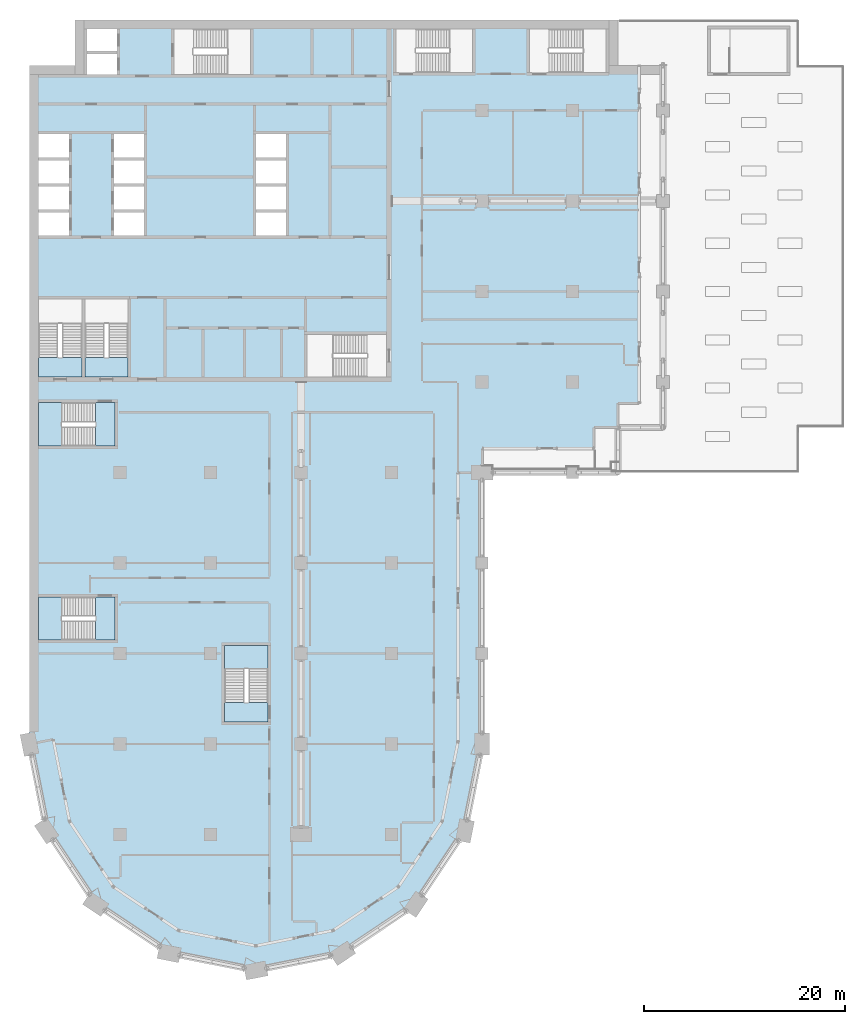
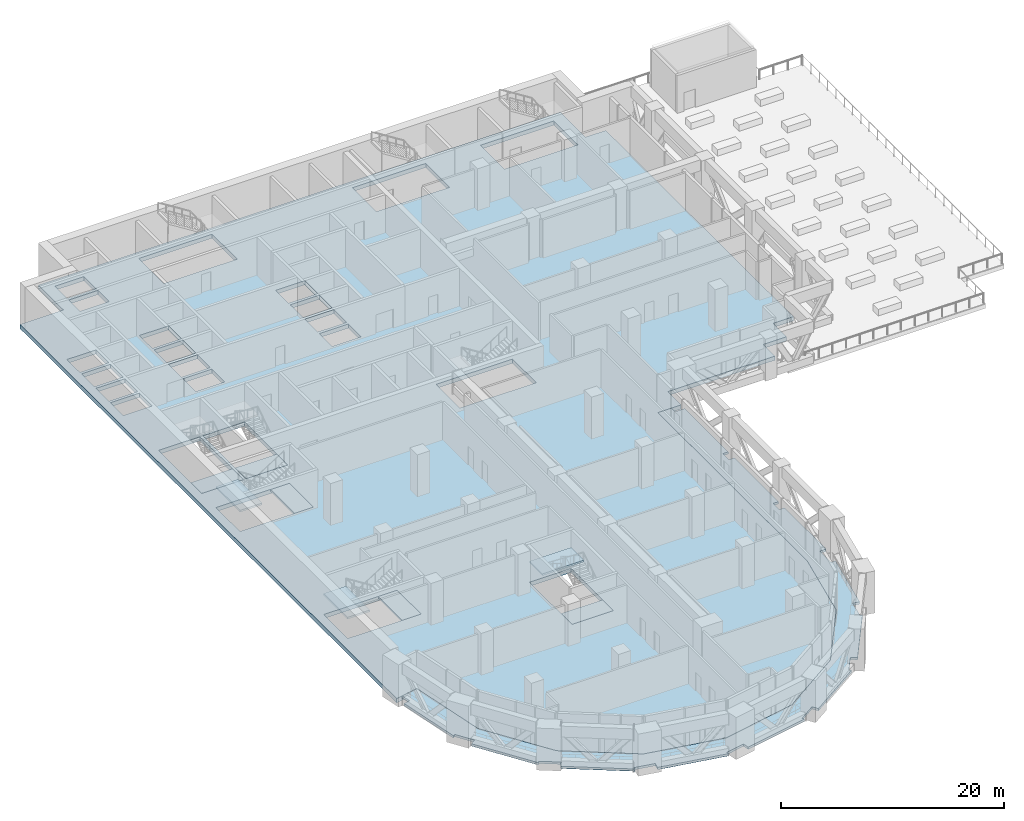
# One storey, part 4 of 22: 10 slabs, 3 elements without a shape of their own.
"""IFC4 building model written with IfcOpenShell, lengths in metres."""

import ifcopenshell
import ifcopenshell.guid

model = None  # the IFC model being written
_history = None  # IfcOwnerHistory: only IFC2X3 demands one
_inside = {}  # id of a spatial element -> (the spatial element, [elements in it])
_under = {}  # id of a project, library or spatial element -> (it, [spatial elements below it])
_declared = {}  # id of a project -> (the project, [libraries it declares])
_typed = {}  # id of a type object -> (the type object, [elements of that type])
_made_of = {}  # id of a material, layer set ... -> (it, [elements and type objects made of it])


def new_model(schema):
    """Start an empty IFC model of exactly this schema.

    Asked for "IFC4X3", IfcOpenShell would pick the latest addendum, in which some entities
    have other attributes; the version numbers below select the first issue.
    IFC2X3 requires an IfcOwnerHistory on every rooted entity: one is made here for all.
    """
    global model, _history
    if schema == "IFC4X3":
        model = ifcopenshell.file(schema_version=(4, 3, 0, 0))
    else:
        model = ifcopenshell.file(schema=schema)
    _inside.clear()
    _under.clear()
    _declared.clear()
    _typed.clear()
    _made_of.clear()
    _history = None
    if model.schema == "IFC2X3":
        org = make("IfcOrganization", Name="unknown")
        user = make(
            "IfcPersonAndOrganization",
            ThePerson=make("IfcPerson", FamilyName="unknown"),
            TheOrganization=org,
        )
        app = make(
            "IfcApplication",
            ApplicationDeveloper=org,
            Version="unknown",
            ApplicationFullName="unknown",
            ApplicationIdentifier="unknown",
        )
        _history = make(
            "IfcOwnerHistory",
            OwningUser=user,
            OwningApplication=app,
            ChangeAction="ADDED",
            CreationDate=0,
        )
    return model


def make(cls, **values):
    """One entity of the class cls with the attributes given. An attribute that is None is left unset."""
    return model.create_entity(
        cls, **{name: value for name, value in values.items() if value is not None}
    )


def rooted(cls, **values):
    """An entity with a GlobalId (a new one), such as an element, a storey or a relation."""
    return make(cls, GlobalId=ifcopenshell.guid.new(), OwnerHistory=_history, **values)


def si_unit(unit_type, name, prefix=None):
    """IfcSIUnit, for example si_unit("LENGTHUNIT", "METRE", prefix="MILLI")."""
    return make("IfcSIUnit", UnitType=unit_type, Prefix=prefix, Name=name)


def assignment(units):
    """IfcUnitAssignment: the units of a project."""
    return None if units is None else make("IfcUnitAssignment", Units=units)


def point(xyz):
    """IfcCartesianPoint."""
    return None if xyz is None else make("IfcCartesianPoint", Coordinates=xyz)


def direction(xyz):
    """IfcDirection."""
    return None if xyz is None else make("IfcDirection", DirectionRatios=xyz)


def frame(location, z_axis=None, x_axis=None):
    """IfcAxis2Placement3D, a coordinate frame: its origin and axes. An axis left out is left unset."""
    return make(
        "IfcAxis2Placement3D",
        Location=point(location),
        Axis=direction(z_axis),
        RefDirection=direction(x_axis),
    )


def origin():
    """The frame at (0, 0, 0) with its axes left unset."""
    return frame((0.0, 0.0, 0.0))


def place(relative_to, where):
    """IfcLocalPlacement: puts the frame where relative to a parent placement (None: the world)."""
    return make(
        "IfcLocalPlacement", PlacementRelTo=relative_to, RelativePlacement=where
    )


def context(
    kind, dimensions, precision=None, world=None, true_north=None, identifier=None
):
    """IfcGeometricRepresentationContext, for example the 3D "Model" context."""
    return make(
        "IfcGeometricRepresentationContext",
        ContextIdentifier=identifier,
        ContextType=kind,
        CoordinateSpaceDimension=dimensions,
        Precision=precision,
        WorldCoordinateSystem=world,
        TrueNorth=true_north,
    )


def subcontext(parent, identifier, kind, view, scale=None):
    """IfcGeometricRepresentationSubContext, for example "Body" below "Model"."""
    return make(
        "IfcGeometricRepresentationSubContext",
        ContextIdentifier=identifier,
        ContextType=kind,
        ParentContext=parent,
        TargetScale=scale,
        TargetView=view,
    )


def project(units=None, contexts=None):
    """IfcProject with its units and contexts."""
    return rooted(
        "IfcProject",
        Name="project",
        RepresentationContexts=contexts,
        UnitsInContext=assignment(units),
    )


def spatial(cls, under=None, at=None, **own):
    """A site, building, storey or space (cls), placed at a placement, below another one or the project."""
    s = rooted(cls, ObjectPlacement=at, **own)
    if under is not None:
        _under.setdefault(under.id(), (under, []))[1].append(s)
    return s


def polyline(points):
    """IfcPolyline through the points."""
    return make("IfcPolyline", Points=[point(p) for p in points])


def outline(outer, holes=None, kind="AREA"):
    """IfcArbitraryClosedProfileDef: a profile drawn as a closed curve; with holes, ...WithVoids."""
    if holes is None:
        return make("IfcArbitraryClosedProfileDef", ProfileType=kind, OuterCurve=outer)
    return make(
        "IfcArbitraryProfileDefWithVoids",
        ProfileType=kind,
        OuterCurve=outer,
        InnerCurves=holes,
    )


def extrude(swept, where, along, depth):
    """IfcExtrudedAreaSolid: the profile swept, set in the frame where, extruded along a direction by depth."""
    return make(
        "IfcExtrudedAreaSolid",
        SweptArea=swept,
        Position=where,
        ExtrudedDirection=direction(along),
        Depth=depth,
    )


def shape(context_of_items, identifier, shape_type, items):
    """IfcShapeRepresentation: the items that make up one representation, for example the "Body"."""
    return make(
        "IfcShapeRepresentation",
        ContextOfItems=context_of_items,
        RepresentationIdentifier=identifier,
        RepresentationType=shape_type,
        Items=items,
    )


def material(Name=None, Category=None):
    """IfcMaterial."""
    return make("IfcMaterial", Name=Name, Category=Category)


def layer(
    of_material, thickness, ventilated=None, Name=None, Category=None, Priority=None
):
    """IfcMaterialLayer: one layer of a wall or slab, of a material (None: an air gap)."""
    return make(
        "IfcMaterialLayer",
        Material=of_material,
        LayerThickness=thickness,
        IsVentilated=ventilated,
        Name=Name,
        Category=Category,
        Priority=Priority,
    )


def layer_set(layers, Name=None):
    """IfcMaterialLayerSet."""
    return make("IfcMaterialLayerSet", MaterialLayers=layers, LayerSetName=Name)


def made_of(thing, what):
    """Note that an element or type object is made of a material, layer set ...; save() writes the relation."""
    if what is not None:
        _made_of.setdefault(what.id(), (what, []))[1].append(thing)
    return thing


def type_object(cls, material=None, **own):
    """A type object (cls), such as IfcWallType, which elements share."""
    return made_of(rooted(cls, **own), material)


def element(
    cls,
    number,
    at=None,
    inside=None,
    cuts=None,
    type_object=None,
    material=None,
    context=None,
    identifier="Body",
    shape_type=None,
    held_by="IfcProductDefinitionShape",
    body=None,
    shapes=None,
    **own,
):
    """One element of the class cls, such as IfcWall. Its Tag is "e" and its number.

    at: its placement. inside: the storey or other place that contains it. cuts: it is an
    opening in that element (IfcRelVoidsElement). A single representation is given by context,
    identifier, shape_type and body (its items); several are given by shapes. held_by: the class
    of the entity that holds the representations. save() writes the other relations.
    """
    e = rooted(cls, Tag="e%d" % number, ObjectPlacement=at, **own)
    if body is not None:
        shapes = [shape(context, identifier, shape_type, body)]
    if shapes is not None:
        e.Representation = make(held_by, Representations=shapes)
    if inside is not None:
        _inside.setdefault(inside.id(), (inside, []))[1].append(e)
    if cuts is not None:
        rooted(
            "IfcRelVoidsElement", RelatingBuildingElement=cuts, RelatedOpeningElement=e
        )
    if type_object is not None:
        _typed.setdefault(type_object.id(), (type_object, []))[1].append(e)
    return made_of(e, material)


def aggregate(whole, parts):
    """IfcRelAggregates: a whole, such as a stair, and the parts it consists of."""
    return rooted("IfcRelAggregates", RelatingObject=whole, RelatedObjects=parts)


def save(model, path):
    """Write the relations noted so far, then the file.

    IfcRelAggregates (storeys below a building ...), IfcRelContainedInSpatialStructure (elements
    in a storey), IfcRelDefinesByType, IfcRelAssociatesMaterial and IfcRelDeclares: one each for
    every whole, place, type object, material and project.
    """
    for whole, parts in _under.values():
        aggregate(whole, parts)
    for where, things in _inside.values():
        rooted(
            "IfcRelContainedInSpatialStructure",
            RelatedElements=things,
            RelatingStructure=where,
        )
    for kind, things in _typed.values():
        rooted("IfcRelDefinesByType", RelatedObjects=things, RelatingType=kind)
    for what, things in _made_of.values():
        rooted("IfcRelAssociatesMaterial", RelatedObjects=things, RelatingMaterial=what)
    for by, libraries in _declared.values():
        rooted("IfcRelDeclares", RelatingContext=by, RelatedDefinitions=libraries)
    model.write(path)


model = new_model("IFC4")

# Units and contexts
model_context = context("Model", 3, precision=1e-05, world=origin(), true_north=direction((0.0, 1.0)))
body_context = subcontext(model_context, "Body", "Model", "MODEL_VIEW")
ifc_project = project(units=[si_unit("LENGTHUNIT", "METRE"), si_unit("AREAUNIT", "SQUARE_METRE"), si_unit("VOLUMEUNIT", "CUBIC_METRE"), si_unit("PLANEANGLEUNIT", "RADIAN"), si_unit("MASSUNIT", "GRAM", prefix="KILO")], contexts=[model_context])

# Site, building, storey
site_placement = place(None, origin())
site = spatial("IfcSite", under=ifc_project, at=site_placement, CompositionType="ELEMENT")
building_placement = place(site_placement, origin())
building = spatial("IfcBuilding", under=site, at=building_placement, Name="Hunhe Ridgeline Campus", CompositionType="ELEMENT")
storey_placement = place(building_placement, frame((0.0, 0.0, 129.199951171875)))
storey = spatial("IfcBuildingStorey", under=building, at=storey_placement, Name="L32", CompositionType="ELEMENT", Elevation=129.199951171875)

# Slabs
ifc_material = material(Name="Concrete C40", Category="concrete")
ifc_layer_1 = layer(ifc_material, 0.449951171875)
ifc_layer_set_1 = layer_set([ifc_layer_1], Name="Floor slab 450 Concrete C40")
slab_type_1 = type_object("IfcSlabType", Name="Floor slab 450 Concrete C40", PredefinedType="FLOOR", material=ifc_layer_set_1)
slab_1_placement = place(storey_placement, frame((0.0, 0.0, -0.449951171875)))
element("IfcSlab", 1, at=slab_1_placement, inside=storey, type_object=slab_type_1, Name="Floor slab L32 1", PredefinedType="FLOOR", context=body_context, shape_type="SweptSolid", body=[
    extrude(outline(polyline([(0.0, 27.0009765625), (2.354736328125, 27.46875), (3.974365234375, 19.326416015625), (8.321044921875, 12.821044921875), (14.826416015625, 8.474365234375), (22.5, 6.947998046875), (30.173583984375, 8.474365234375), (36.678955078125, 12.821044921875), (41.025634765625, 19.326416015625), (42.59912109375, 27.236572265625), (42.59912109375, 54.00048828125), (44.9990234375, 54.0009765625), (44.999755859375, 56.40087890625), (56.09912109375, 56.40087890625), (56.099365234375, 58.500732421875), (58.4990234375, 58.5009765625), (58.499267578125, 60.900634765625), (60.59912109375, 60.90087890625), (60.59912109375, 94.5), (58.5, 94.5), (58.5, 99.0), (4.5, 99.0), (4.5, 94.5), (0.0, 94.5), (0.0, 27.0009765625)]), holes=[polyline([(57.300048828125, 93.800048828125), (57.300048828125, 98.10009765625), (49.699951171875, 98.10009765625), (49.699951171875, 93.800048828125), (57.300048828125, 93.800048828125)]), polyline([(44.050048828125, 98.10009765625), (36.449951171875, 98.10009765625), (36.449951171875, 93.800048828125), (44.050048828125, 93.800048828125), (44.050048828125, 98.10009765625)]), polyline([(27.60009765625, 67.75), (27.60009765625, 63.5), (35.5, 63.5), (35.5, 67.75), (27.60009765625, 67.75)]), polyline([(25.5, 85.35009765625), (25.5, 87.64990234375), (22.5, 87.64990234375), (22.5, 85.35009765625), (25.5, 85.35009765625)]), polyline([(25.5, 85.050048828125), (22.5, 85.050048828125), (22.5, 82.75), (25.5, 82.75), (25.5, 85.050048828125)]), polyline([(22.5, 82.449951171875), (22.5, 80.14990234375), (25.5, 80.14990234375), (25.5, 82.449951171875), (22.5, 82.449951171875)]), polyline([(22.5, 77.550048828125), (25.5, 77.550048828125), (25.5, 79.85009765625), (22.5, 79.85009765625), (22.5, 77.550048828125)]), polyline([(19.39990234375, 29.199951171875), (23.699951171875, 29.199951171875), (23.699951171875, 36.800048828125), (19.39990234375, 36.800048828125), (19.39990234375, 29.199951171875)]), polyline([(21.949951171875, 98.10009765625), (14.35009765625, 98.10009765625), (14.35009765625, 93.60009765625), (21.949951171875, 93.60009765625), (21.949951171875, 98.10009765625)]), polyline([(8.39990234375, 82.449951171875), (8.39990234375, 80.14990234375), (11.39990234375, 80.14990234375), (11.39990234375, 82.449951171875), (8.39990234375, 82.449951171875)]), polyline([(11.39990234375, 85.35009765625), (11.39990234375, 87.64990234375), (8.39990234375, 87.64990234375), (8.39990234375, 85.35009765625), (11.39990234375, 85.35009765625)]), polyline([(11.39990234375, 85.050048828125), (8.39990234375, 85.050048828125), (8.39990234375, 82.75), (11.39990234375, 82.75), (11.39990234375, 85.050048828125)]), polyline([(8.39990234375, 77.550048828125), (11.39990234375, 77.550048828125), (11.39990234375, 79.85009765625), (8.39990234375, 79.85009765625), (8.39990234375, 77.550048828125)]), polyline([(5.5, 63.5), (9.800048828125, 63.5), (9.800048828125, 71.25), (5.5, 71.25), (5.5, 63.5)]), polyline([(5.699951171875, 98.10009765625), (5.699951171875, 95.89990234375), (8.699951171875, 95.89990234375), (8.699951171875, 98.10009765625), (5.699951171875, 98.10009765625)]), polyline([(5.699951171875, 93.60009765625), (8.699951171875, 93.60009765625), (8.699951171875, 95.60009765625), (5.699951171875, 95.60009765625), (5.699951171875, 93.60009765625)]), polyline([(0.89990234375, 60.949951171875), (0.89990234375, 56.64990234375), (8.5, 56.64990234375), (8.5, 60.949951171875), (0.89990234375, 60.949951171875)]), polyline([(0.89990234375, 37.35009765625), (8.5, 37.35009765625), (8.5, 41.64990234375), (0.89990234375, 41.64990234375), (0.89990234375, 37.35009765625)]), polyline([(5.199951171875, 63.5), (5.199951171875, 71.25), (0.89990234375, 71.25), (0.89990234375, 63.5), (5.199951171875, 63.5)]), polyline([(3.89990234375, 85.35009765625), (3.89990234375, 87.64990234375), (0.89990234375, 87.64990234375), (0.89990234375, 85.35009765625), (3.89990234375, 85.35009765625)]), polyline([(3.89990234375, 85.050048828125), (0.89990234375, 85.050048828125), (0.89990234375, 82.75), (3.89990234375, 82.75), (3.89990234375, 85.050048828125)]), polyline([(0.89990234375, 82.449951171875), (0.89990234375, 80.14990234375), (3.89990234375, 80.14990234375), (3.89990234375, 82.449951171875), (0.89990234375, 82.449951171875)]), polyline([(0.89990234375, 77.550048828125), (3.89990234375, 77.550048828125), (3.89990234375, 79.85009765625), (0.89990234375, 79.85009765625), (0.89990234375, 77.550048828125)])]), origin(), (0.0, 0.0, 1.0), 0.449951171875),
])
ifc_layer_2 = layer(ifc_material, 0.25)
ifc_layer_set_2 = layer_set([ifc_layer_2], Name="Loggia slab 250 Concrete C40")
slab_type_2 = type_object("IfcSlabType", Name="Loggia slab 250 Concrete C40", PredefinedType="FLOOR", material=ifc_layer_set_2)
slab_2_placement = place(storey_placement, frame((0.0, 0.0, -0.25)))
element("IfcSlab", 2, at=slab_2_placement, inside=storey, type_object=slab_type_2, Name="Loggia slab 1", PredefinedType="FLOOR", context=body_context, shape_type="SweptSolid", body=[
    extrude(outline(polyline([(36.6796875, 12.8203125), (30.173828125, 8.473388671875), (22.5, 6.947021484375), (14.826171875, 8.473388671875), (8.3203125, 12.8203125), (3.973388671875, 19.326171875), (2.35400390625, 27.46826171875), (0.637451171875, 27.126708984375), (0.83251953125, 26.14599609375), (0.195068359375, 26.019287109375), (1.50146484375, 19.451171875), (1.697509765625, 19.582275390625), (2.808837890625, 17.919189453125), (2.268310546875, 17.55810546875), (5.98876953125, 11.989990234375), (6.11962890625, 12.18603515625), (7.78271484375, 11.074951171875), (7.421630859375, 10.534423828125), (12.98974609375, 6.81396484375), (13.03564453125, 7.04541015625), (14.997314453125, 6.655029296875), (14.870361328125, 6.017578125), (21.4384765625, 4.711181640625), (21.392333984375, 4.9423828125), (23.35400390625, 5.33251953125), (23.480712890625, 4.695068359375), (30.048828125, 6.00146484375), (29.917724609375, 6.197509765625), (31.580810546875, 7.308837890625), (31.94189453125, 6.768310546875), (37.510009765625, 10.48876953125), (37.31396484375, 10.61962890625), (38.425048828125, 12.28271484375), (38.965576171875, 11.921630859375), (42.68603515625, 17.48974609375), (42.45458984375, 17.53564453125), (42.844970703125, 19.497314453125), (43.482421875, 19.370361328125), (44.801025390625, 26.0), (44.35009765625, 26.0), (44.35009765625, 28.0), (45.0, 28.0), (45.0, 35.449951171875), (44.449951171875, 35.449951171875), (44.449951171875, 36.550048828125), (45.0, 36.550048828125), (45.0, 44.449951171875), (44.449951171875, 44.449951171875), (44.449951171875, 45.550048828125), (45.0, 45.550048828125), (45.0, 53.35009765625), (44.0, 53.35009765625), (44.0, 54.0), (42.60009765625, 54.0), (42.60009765625, 27.236328125), (41.026611328125, 19.326171875), (36.6796875, 12.8203125)])), origin(), (0.0, 0.0, 1.0), 0.25),
])
ifc_layer_3 = layer(ifc_material, 0.199951171875)
ifc_layer_set_3 = layer_set([ifc_layer_3], Name="Reinforced concrete stair landing 200 Concrete C40")
slab_type_3 = type_object("IfcSlabType", Name="Reinforced concrete stair landing 200 Concrete C40", PredefinedType="LANDING", material=ifc_layer_set_3)
slab_3_placement = place(storey_placement, frame((0.0, 0.0, -0.199951171875)))
element("IfcSlab", 3, at=slab_3_placement, inside=storey, type_object=slab_type_3, Name="L32 stair S3 floor landing", PredefinedType="LANDING", context=body_context, shape_type="SweptSolid", body=[
    extrude(outline(polyline([(5.199951171875, 63.5), (5.199951171875, 65.449951171875), (0.89990234375, 65.449951171875), (0.89990234375, 63.5), (5.199951171875, 63.5)])), origin(), (0.0, 0.0, 1.0), 0.199951171875),
])
slab_4_placement = place(storey_placement, frame((0.0, 0.0, -0.199951171875)))
element("IfcSlab", 4, at=slab_4_placement, inside=storey, type_object=slab_type_3, Name="L32 stair S4 floor landing", PredefinedType="LANDING", context=body_context, shape_type="SweptSolid", body=[
    extrude(outline(polyline([(9.800048828125, 63.5), (9.800048828125, 65.449951171875), (5.5, 65.449951171875), (5.5, 63.5), (9.800048828125, 63.5)])), origin(), (0.0, 0.0, 1.0), 0.199951171875),
])

# Stair, slab
stair_type = type_object("IfcStairType", Name="Reinforced concrete dog-leg stair 1950 Concrete C40", PredefinedType="HALF_TURN_STAIR", material=ifc_material)
stair_1_placement = place(storey_placement, origin())
stair_1 = element("IfcStair", 5, at=stair_1_placement, inside=storey, type_object=stair_type, Name="L32 W3", PredefinedType="HALF_TURN_STAIR")
slab_5_placement = place(storey_placement, frame((0.0, 0.0, 2.10009765625)))
slab_5 = element("IfcSlab", 6, at=slab_5_placement, type_object=slab_type_3, Name="ST9 landing 1", PredefinedType="LANDING", context=body_context, shape_type="SweptSolid", body=[
    extrude(outline(polyline([(23.699951171875, 34.510009765625), (23.699951171875, 36.800048828125), (19.39990234375, 36.800048828125), (19.39990234375, 34.510009765625), (23.699951171875, 34.510009765625)])), origin(), (0.0, 0.0, 1.0), 0.199951171875),
])
aggregate(stair_1, [slab_5])

# Slab
slab_6_placement = place(storey_placement, frame((0.0, 0.0, -0.199951171875)))
element("IfcSlab", 7, at=slab_6_placement, inside=storey, type_object=slab_type_3, Name="L32 stair W3 floor landing", PredefinedType="LANDING", context=body_context, shape_type="SweptSolid", body=[
    extrude(outline(polyline([(23.699951171875, 29.199951171875), (23.699951171875, 31.14990234375), (19.39990234375, 31.14990234375), (19.39990234375, 29.199951171875), (23.699951171875, 29.199951171875)])), origin(), (0.0, 0.0, 1.0), 0.199951171875),
])

# Stair, slab
stair_2_placement = place(storey_placement, origin())
stair_2 = element("IfcStair", 8, at=stair_2_placement, inside=storey, type_object=stair_type, Name="L32 W1", PredefinedType="HALF_TURN_STAIR")
slab_7_placement = place(storey_placement, frame((0.0, 0.0, 2.10009765625)))
slab_7 = element("IfcSlab", 9, at=slab_7_placement, type_object=slab_type_3, Name="ST11 landing 1", PredefinedType="LANDING", context=body_context, shape_type="SweptSolid", body=[
    extrude(outline(polyline([(3.18994140625, 41.64990234375), (0.89990234375, 41.64990234375), (0.89990234375, 37.35009765625), (3.18994140625, 37.35009765625), (3.18994140625, 41.64990234375)])), origin(), (0.0, 0.0, 1.0), 0.199951171875),
])
aggregate(stair_2, [slab_7])

# Slab
slab_8_placement = place(storey_placement, frame((0.0, 0.0, -0.199951171875)))
element("IfcSlab", 10, at=slab_8_placement, inside=storey, type_object=slab_type_3, Name="L32 stair W1 floor landing", PredefinedType="LANDING", context=body_context, shape_type="SweptSolid", body=[
    extrude(outline(polyline([(8.5, 41.64990234375), (6.550048828125, 41.64990234375), (6.550048828125, 37.35009765625), (8.5, 37.35009765625), (8.5, 41.64990234375)])), origin(), (0.0, 0.0, 1.0), 0.199951171875),
])

# Stair, slab
stair_3_placement = place(storey_placement, origin())
stair_3 = element("IfcStair", 11, at=stair_3_placement, inside=storey, type_object=stair_type, Name="L32 W2", PredefinedType="HALF_TURN_STAIR")
slab_9_placement = place(storey_placement, frame((0.0, 0.0, 2.10009765625)))
slab_9 = element("IfcSlab", 12, at=slab_9_placement, type_object=slab_type_3, Name="ST12 landing 1", PredefinedType="LANDING", context=body_context, shape_type="SweptSolid", body=[
    extrude(outline(polyline([(3.18994140625, 60.949951171875), (0.89990234375, 60.949951171875), (0.89990234375, 56.64990234375), (3.18994140625, 56.64990234375), (3.18994140625, 60.949951171875)])), origin(), (0.0, 0.0, 1.0), 0.199951171875),
])
aggregate(stair_3, [slab_9])

# Slab
slab_10_placement = place(storey_placement, frame((0.0, 0.0, -0.199951171875)))
element("IfcSlab", 13, at=slab_10_placement, inside=storey, type_object=slab_type_3, Name="L32 stair W2 floor landing", PredefinedType="LANDING", context=body_context, shape_type="SweptSolid", body=[
    extrude(outline(polyline([(8.5, 60.949951171875), (6.550048828125, 60.949951171875), (6.550048828125, 56.64990234375), (8.5, 56.64990234375), (8.5, 60.949951171875)])), origin(), (0.0, 0.0, 1.0), 0.199951171875),
])

save(model, "model.ifc")
